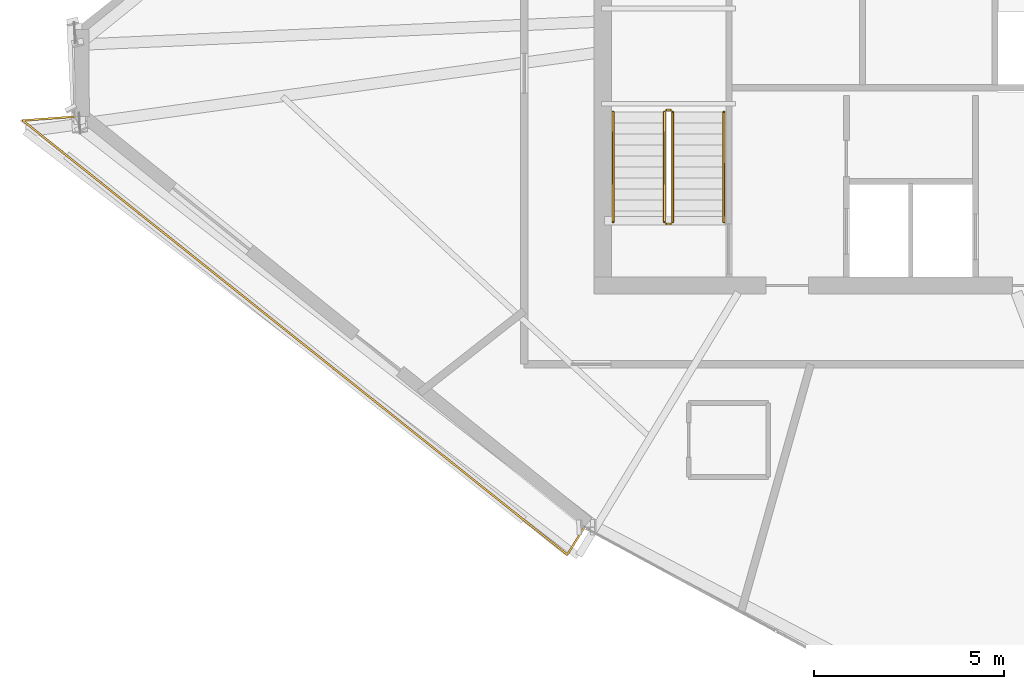
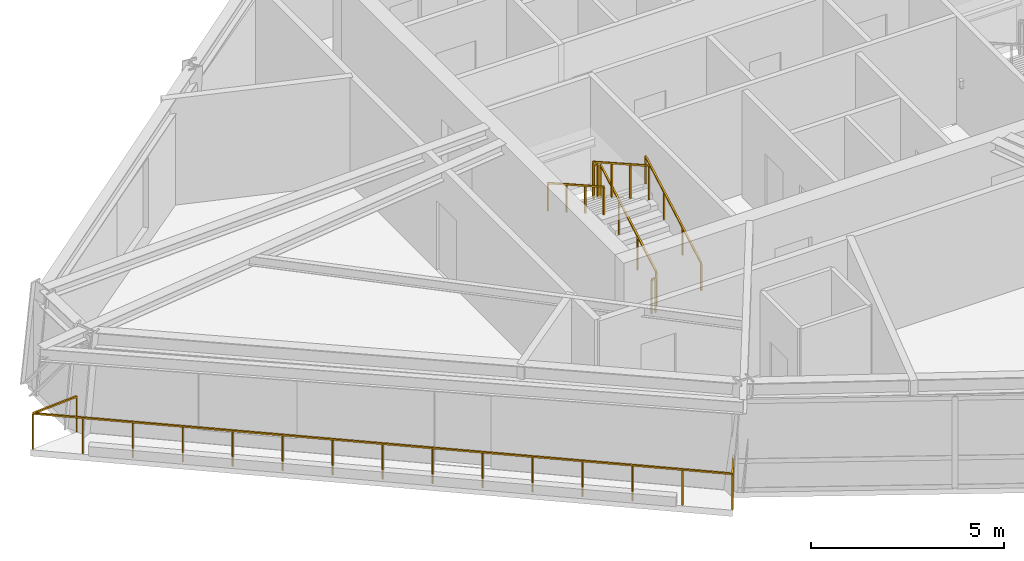
# One storey, part 13 of 15: 7 railings.
"""IFC4 building model written with IfcOpenShell, lengths in metres."""

from ifc_helpers import new_model, si_unit, direction, frame, origin, origin_2d, place, context, subcontext, project, spatial, rectangle, extrude, material, type_object, element, save


model = new_model("IFC4")

# Units and contexts
model_context = context("Model", 3, precision=1e-05, world=origin(), true_north=direction((0.0, 1.0)))
body_context = subcontext(model_context, "Body", "Model", "MODEL_VIEW")
ifc_project = project(units=[si_unit("LENGTHUNIT", "METRE"), si_unit("AREAUNIT", "SQUARE_METRE"), si_unit("VOLUMEUNIT", "CUBIC_METRE"), si_unit("PLANEANGLEUNIT", "RADIAN"), si_unit("MASSUNIT", "GRAM", prefix="KILO")], contexts=[model_context])

# Site, building, storey
site_placement = place(None, origin())
site = spatial("IfcSite", under=ifc_project, at=site_placement, CompositionType="ELEMENT")
building_placement = place(site_placement, origin())
building = spatial("IfcBuilding", under=site, at=building_placement, Name="Olszyna Solenne Hotel", CompositionType="ELEMENT")
storey_placement = place(building_placement, frame((0.0, 0.0, 270.5)))
storey = spatial("IfcBuildingStorey", under=building, at=storey_placement, Name="L72", CompositionType="ELEMENT", Elevation=270.5)

# Railings
ifc_material_1 = material(Name="Anodised bronze aluminium", Category="aluminium")
railing_type_1 = type_object("IfcRailingType", Name="GR-110", PredefinedType="BALUSTRADE", material=ifc_material_1)
railing_1_placement = place(storey_placement, frame((15.956298828125, 23.727294921875, 0.0)))
element("IfcRailing", 1, at=railing_1_placement, inside=storey, type_object=railing_type_1, Name="Loggia balcony balustrade guard GR-L72-LG2", PredefinedType="BALUSTRADE", context=body_context, shape_type="SweptSolid", body=[
    extrude(rectangle(XDim=0.048095703125, YDim=0.048095703125, at=origin_2d()), frame((0.0, 0.0, 1.1259765625), z_axis=(-0.997362556025, -0.072580519697, 0.0), x_axis=(0.072580519697, -0.997362556025, 0.0)), (0.0, 0.0, 1.0), 1.379150390625),
    extrude(rectangle(XDim=0.048095703125, YDim=0.048095703125, at=origin_2d()), frame((-1.37548828125, -0.10009765625, 1.1259765625), z_axis=(0.781933705626, -0.623361596512, 0.0), x_axis=(0.623361596512, 0.781933705626, 0.0)), (0.0, 0.0, 1.0), 18.3662109375),
    extrude(rectangle(XDim=0.048095703125, YDim=0.048095703125, at=origin_2d()), frame((12.985595703125, -11.548828125, 1.1259765625), z_axis=(0.529609739485, 0.848241430162, 0.0), x_axis=(-0.848241430162, 0.529609739485, 0.0)), (0.0, 0.0, 1.0), 0.845947265625),
    extrude(rectangle(XDim=0.0419921875, YDim=0.0419921875, at=origin_2d()), origin(), (0.0, 0.0, 1.0), 1.101806640625),
    extrude(rectangle(XDim=0.0419921875, YDim=0.0419921875, at=origin_2d()), frame((-1.37548828125, -0.10009765625, 0.0)), (0.0, 0.0, 1.0), 1.101806640625),
    extrude(rectangle(XDim=0.0419921875, YDim=0.0419921875, at=origin_2d()), frame((-0.349609375, -0.91796875, 0.0)), (0.0, 0.0, 1.0), 1.101806640625),
    extrude(rectangle(XDim=0.0419921875, YDim=0.0419921875, at=origin_2d()), frame((0.676025390625, -1.735595703125, 0.0)), (0.0, 0.0, 1.0), 1.101806640625),
    extrude(rectangle(XDim=0.0419921875, YDim=0.0419921875, at=origin_2d()), frame((1.701904296875, -2.553466796875, 0.0)), (0.0, 0.0, 1.0), 1.101806640625),
    extrude(rectangle(XDim=0.0419921875, YDim=0.0419921875, at=origin_2d()), frame((2.727783203125, -3.37109375, 0.0)), (0.0, 0.0, 1.0), 1.101806640625),
    extrude(rectangle(XDim=0.0419921875, YDim=0.0419921875, at=origin_2d()), frame((3.75341796875, -4.18896484375, 0.0)), (0.0, 0.0, 1.0), 1.101806640625),
    extrude(rectangle(XDim=0.0419921875, YDim=0.0419921875, at=origin_2d()), frame((4.779296875, -5.006591796875, 0.0)), (0.0, 0.0, 1.0), 1.101806640625),
    extrude(rectangle(XDim=0.0419921875, YDim=0.0419921875, at=origin_2d()), frame((5.80517578125, -5.824462890625, 0.0)), (0.0, 0.0, 1.0), 1.101806640625),
    extrude(rectangle(XDim=0.0419921875, YDim=0.0419921875, at=origin_2d()), frame((6.830810546875, -6.642333984375, 0.0)), (0.0, 0.0, 1.0), 1.101806640625),
    extrude(rectangle(XDim=0.0419921875, YDim=0.0419921875, at=origin_2d()), frame((7.856689453125, -7.4599609375, 0.0)), (0.0, 0.0, 1.0), 1.101806640625),
    extrude(rectangle(XDim=0.0419921875, YDim=0.0419921875, at=origin_2d()), frame((8.88232421875, -8.27783203125, 0.0)), (0.0, 0.0, 1.0), 1.101806640625),
    extrude(rectangle(XDim=0.0419921875, YDim=0.0419921875, at=origin_2d()), frame((9.908203125, -9.095458984375, 0.0)), (0.0, 0.0, 1.0), 1.101806640625),
    extrude(rectangle(XDim=0.0419921875, YDim=0.0419921875, at=origin_2d()), frame((10.93408203125, -9.913330078125, 0.0)), (0.0, 0.0, 1.0), 1.101806640625),
    extrude(rectangle(XDim=0.0419921875, YDim=0.0419921875, at=origin_2d()), frame((11.959716796875, -10.73095703125, 0.0)), (0.0, 0.0, 1.0), 1.101806640625),
    extrude(rectangle(XDim=0.0419921875, YDim=0.0419921875, at=origin_2d()), frame((12.985595703125, -11.548828125, 0.0)), (0.0, 0.0, 1.0), 1.101806640625),
    extrude(rectangle(XDim=0.0419921875, YDim=0.0419921875, at=origin_2d()), frame((13.43359375, -10.831298828125, 0.0)), (0.0, 0.0, 1.0), 1.101806640625),
])
railing_2_placement = place(storey_placement, frame((31.719970703125, 20.949951171875, 0.16357421875)))
element("IfcRailing", 2, at=railing_2_placement, inside=storey, type_object=railing_type_1, Name="L72 ST1 stair guard 1", PredefinedType="BALUSTRADE", context=body_context, shape_type="SweptSolid", body=[
    extrude(rectangle(XDim=0.048095703125, YDim=0.048095703125, at=origin_2d()), frame((0.0, 0.0, 1.076171875), z_axis=(0.0, 0.870914908162, 0.491433843708), x_axis=(-1.0, 0.0, 0.0)), (0.0, 0.0, 1.0), 3.330078125),
    extrude(rectangle(XDim=0.0419921875, YDim=0.0419921875, at=origin_2d()), origin(), (0.0, 0.0, 1.0), 1.052001953125),
    extrude(rectangle(XDim=0.0419921875, YDim=0.0419921875, at=origin_2d()), frame((0.0, 0.966796875, 0.54541015625)), (0.0, 0.0, 1.0), 1.052001953125),
    extrude(rectangle(XDim=0.0419921875, YDim=0.0419921875, at=origin_2d()), frame((0.0, 1.933349609375, 1.091064453125)), (0.0, 0.0, 1.0), 1.052001953125),
    extrude(rectangle(XDim=0.0419921875, YDim=0.0419921875, at=origin_2d()), frame((0.0, 2.900146484375, 1.636474609375)), (0.0, 0.0, 1.0), 1.052001953125),
])
railing_3_placement = place(storey_placement, frame((31.669921875, 23.89990234375, 1.800048828125)))
element("IfcRailing", 3, at=railing_3_placement, inside=storey, type_object=railing_type_1, Name="L72 ST1 stair guard 2", PredefinedType="BALUSTRADE", context=body_context, shape_type="SweptSolid", body=[
    extrude(rectangle(XDim=0.048095703125, YDim=0.048095703125, at=origin_2d()), frame((0.0, 0.0, 1.076171875), z_axis=(-1.0, 0.0, 0.0), x_axis=(0.0, -1.0, 0.0)), (0.0, 0.0, 1.0), 0.119873046875),
    extrude(rectangle(XDim=0.0419921875, YDim=0.0419921875, at=origin_2d()), origin(), (0.0, 0.0, 1.0), 1.052001953125),
    extrude(rectangle(XDim=0.0419921875, YDim=0.0419921875, at=origin_2d()), frame((-0.119873046875, 0.0, 0.0)), (0.0, 0.0, 1.0), 1.052001953125),
])
railing_4_placement = place(storey_placement, frame((31.5, 23.85009765625, 1.963623046875)))
element("IfcRailing", 4, at=railing_4_placement, inside=storey, type_object=railing_type_1, Name="L72 ST1 stair guard 3", PredefinedType="BALUSTRADE", context=body_context, shape_type="SweptSolid", body=[
    extrude(rectangle(XDim=0.048095703125, YDim=0.048095703125, at=origin_2d()), frame((0.0, 0.0, 1.076171875), z_axis=(0.0, -0.870914908162, 0.491433843708), x_axis=(1.0, 0.0, 0.0)), (0.0, 0.0, 1.0), 3.330078125),
    extrude(rectangle(XDim=0.0419921875, YDim=0.0419921875, at=origin_2d()), origin(), (0.0, 0.0, 1.0), 1.052001953125),
    extrude(rectangle(XDim=0.0419921875, YDim=0.0419921875, at=origin_2d()), frame((0.0, -0.966796875, 0.54541015625)), (0.0, 0.0, 1.0), 1.052001953125),
    extrude(rectangle(XDim=0.0419921875, YDim=0.0419921875, at=origin_2d()), frame((0.0, -1.933349609375, 1.091064453125)), (0.0, 0.0, 1.0), 1.052001953125),
    extrude(rectangle(XDim=0.0419921875, YDim=0.0419921875, at=origin_2d()), frame((0.0, -2.900146484375, 1.636474609375)), (0.0, 0.0, 1.0), 1.052001953125),
])
railing_5_placement = place(storey_placement, frame((31.669921875, 20.89990234375, 0.0)))
element("IfcRailing", 5, at=railing_5_placement, inside=storey, type_object=railing_type_1, Name="L72 ST1 stair guard 4", PredefinedType="BALUSTRADE", context=body_context, shape_type="SweptSolid", body=[
    extrude(rectangle(XDim=0.048095703125, YDim=0.048095703125, at=origin_2d()), frame((0.0, 0.0, 1.076171875), z_axis=(-1.0, 0.0, 0.0), x_axis=(0.0, -1.0, 0.0)), (0.0, 0.0, 1.0), 0.119873046875),
    extrude(rectangle(XDim=0.0419921875, YDim=0.0419921875, at=origin_2d()), origin(), (0.0, 0.0, 1.0), 1.052001953125),
    extrude(rectangle(XDim=0.0419921875, YDim=0.0419921875, at=origin_2d()), frame((-0.119873046875, 0.0, 0.0)), (0.0, 0.0, 1.0), 1.052001953125),
])
ifc_material_2 = material(Name="Steel S355J2", Category="steel")
railing_type_2 = type_object("IfcRailingType", Name="HR-090", PredefinedType="HANDRAIL", material=ifc_material_2)
railing_6_placement = place(storey_placement, frame((33.070068359375, 20.949951171875, 0.16357421875)))
element("IfcRailing", 6, at=railing_6_placement, inside=storey, type_object=railing_type_2, Name="L72 ST1 stair handrail 1", PredefinedType="HANDRAIL", context=body_context, shape_type="SweptSolid", body=[
    extrude(rectangle(XDim=0.048095703125, YDim=0.048095703125, at=origin_2d()), frame((0.0, 0.0, 0.8759765625), z_axis=(0.0, 0.870914908162, 0.491433843708), x_axis=(-1.0, 0.0, 0.0)), (0.0, 0.0, 1.0), 3.330078125),
    extrude(rectangle(XDim=0.0419921875, YDim=0.0419921875, at=origin_2d()), origin(), (0.0, 0.0, 1.0), 0.851806640625),
    extrude(rectangle(XDim=0.0419921875, YDim=0.0419921875, at=origin_2d()), frame((0.0, 0.966796875, 0.54541015625)), (0.0, 0.0, 1.0), 0.851806640625),
    extrude(rectangle(XDim=0.0419921875, YDim=0.0419921875, at=origin_2d()), frame((0.0, 1.933349609375, 1.091064453125)), (0.0, 0.0, 1.0), 0.851806640625),
    extrude(rectangle(XDim=0.0419921875, YDim=0.0419921875, at=origin_2d()), frame((0.0, 2.900146484375, 1.636474609375)), (0.0, 0.0, 1.0), 0.851806640625),
])
railing_7_placement = place(storey_placement, frame((30.14990234375, 23.85009765625, 1.963623046875)))
element("IfcRailing", 7, at=railing_7_placement, inside=storey, type_object=railing_type_2, Name="L72 ST1 stair handrail 2", PredefinedType="HANDRAIL", context=body_context, shape_type="SweptSolid", body=[
    extrude(rectangle(XDim=0.048095703125, YDim=0.048095703125, at=origin_2d()), frame((0.0, 0.0, 0.8759765625), z_axis=(0.0, -0.870914908162, 0.491433843708), x_axis=(1.0, 0.0, 0.0)), (0.0, 0.0, 1.0), 3.330078125),
    extrude(rectangle(XDim=0.0419921875, YDim=0.0419921875, at=origin_2d()), origin(), (0.0, 0.0, 1.0), 0.851806640625),
    extrude(rectangle(XDim=0.0419921875, YDim=0.0419921875, at=origin_2d()), frame((0.0, -0.966796875, 0.54541015625)), (0.0, 0.0, 1.0), 0.851806640625),
    extrude(rectangle(XDim=0.0419921875, YDim=0.0419921875, at=origin_2d()), frame((0.0, -1.933349609375, 1.091064453125)), (0.0, 0.0, 1.0), 0.851806640625),
    extrude(rectangle(XDim=0.0419921875, YDim=0.0419921875, at=origin_2d()), frame((0.0, -2.900146484375, 1.636474609375)), (0.0, 0.0, 1.0), 0.851806640625),
])

save(model, "model.ifc")
